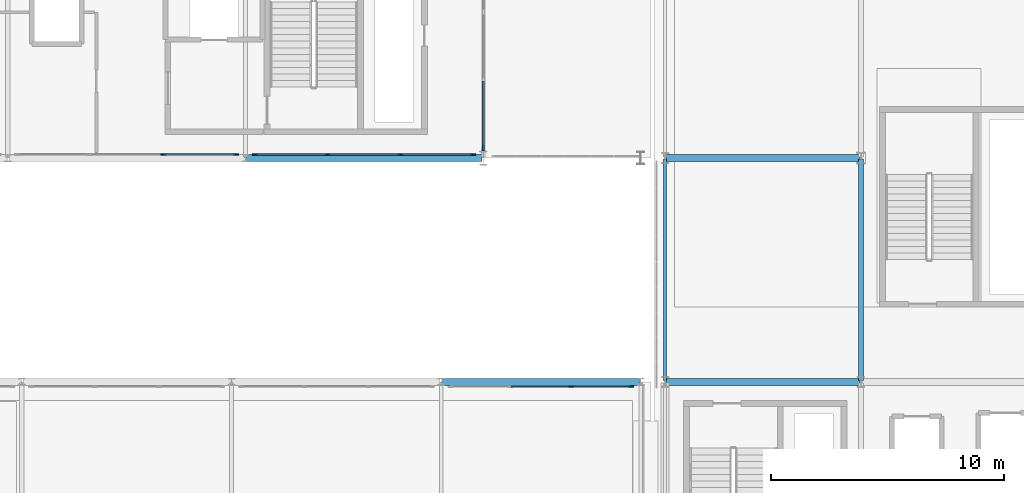
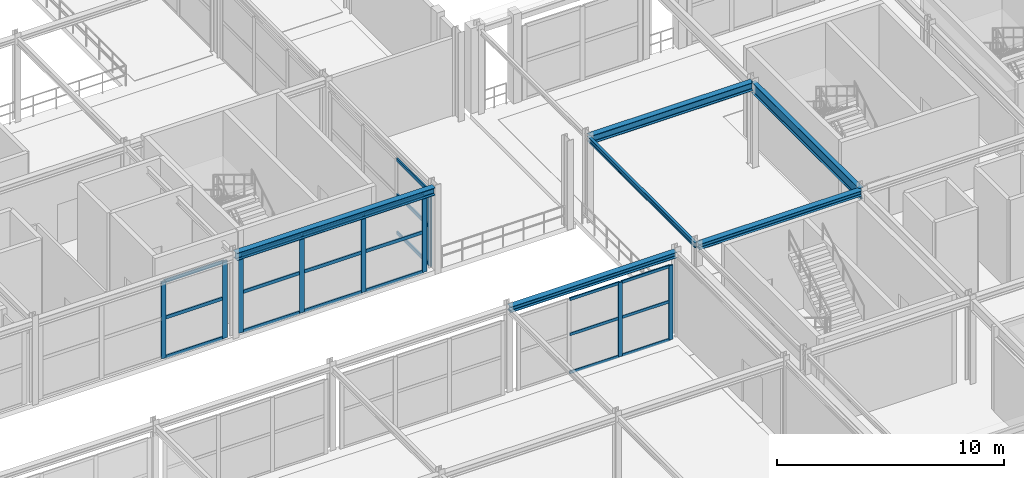
# One storey, part 35 of 125: 30 members, 6 beams, 4 elements without a shape of their own.
"""IFC4 building model written with IfcOpenShell, lengths in metres."""

from ifc_helpers import new_model, si_unit, direction, frame, origin, origin_2d, place, context, subcontext, project, spatial, rectangle, i_section, extrude, material, layer, layer_set, material_profile, profile_set, type_object, element, aggregate, save


model = new_model("IFC4")

# Units and contexts
model_context = context("Model", 3, precision=1e-05, world=origin(), true_north=direction((0.0, 1.0)))
body_context = subcontext(model_context, "Body", "Model", "MODEL_VIEW")
ifc_project = project(units=[si_unit("LENGTHUNIT", "METRE"), si_unit("AREAUNIT", "SQUARE_METRE"), si_unit("VOLUMEUNIT", "CUBIC_METRE"), si_unit("PLANEANGLEUNIT", "RADIAN"), si_unit("MASSUNIT", "GRAM", prefix="KILO")], contexts=[model_context])

# Site, building, storey
site_placement = place(None, origin())
site = spatial("IfcSite", under=ifc_project, at=site_placement, CompositionType="ELEMENT")
building_placement = place(site_placement, origin())
building = spatial("IfcBuilding", under=site, at=building_placement, Name="Myrtia Square Station", CompositionType="ELEMENT")
storey_placement = place(building_placement, frame((0.0, 0.0, 6.0)))
storey = spatial("IfcBuildingStorey", under=building, at=storey_placement, Name="L01", CompositionType="ELEMENT", Elevation=6.0)

# Beams
ifc_material_1 = material(Name="Steel S355", Category="steel")
ifc_material_profile_1 = material_profile(ifc_material_1, i_section(OverallWidth=0.300048828125, OverallDepth=0.43994140625, WebThickness=0.011474609375, FlangeThickness=0.02099609375, FilletRadius=0.027099609375, at=origin_2d()), Name="HEA 450")
ifc_profile_set_1 = profile_set([ifc_material_profile_1], Name="Steel S355")
beam_type_1 = type_object("IfcBeamType", Name="BM-HEA450", PredefinedType="BEAM", material=ifc_profile_set_1)
beam_1_placement = place(storey_placement, frame((117.64990234375, 28.800048828125, 4.330078125), z_axis=(1.0, 0.0, 0.0), x_axis=(0.0, 1.0, 0.0)))
element("IfcBeam", 1, at=beam_1_placement, inside=storey, type_object=beam_type_1, Name="Structural girder BMX-L01-0598", PredefinedType="BEAM", context=body_context, shape_type="SweptSolid", body=[
    extrude(i_section(OverallWidth=0.300048828125, OverallDepth=0.43994140625, WebThickness=0.011474609375, FlangeThickness=0.02099609375, FilletRadius=0.027099609375, at=origin_2d()), origin(), (0.0, 0.0, 1.0), 8.300048828125),
])
ifc_material_profile_2 = material_profile(ifc_material_1, i_section(OverallWidth=0.300048828125, OverallDepth=0.300048828125, WebThickness=0.010986328125, FlangeThickness=0.01904296875, FilletRadius=0.027099609375, at=origin_2d()), Name="HEB 300")
ifc_profile_set_2 = profile_set([ifc_material_profile_2], Name="Steel S355")
beam_type_2 = type_object("IfcBeamType", Name="BM-HEB300", PredefinedType="BEAM", material=ifc_profile_set_2)
beam_2_placement = place(storey_placement, frame((108.050048828125, 19.199951171875, 4.385009765625), z_axis=(1.0, 0.0, 0.0), x_axis=(0.0, 1.0, 0.0)))
element("IfcBeam", 2, at=beam_2_placement, inside=storey, type_object=beam_type_2, Name="Structural girder BMX-L01-0590", PredefinedType="BEAM", context=body_context, shape_type="SweptSolid", body=[
    extrude(i_section(OverallWidth=0.300048828125, OverallDepth=0.300048828125, WebThickness=0.010986328125, FlangeThickness=0.01904296875, FilletRadius=0.027099609375, at=origin_2d()), origin(), (0.0, 0.0, 1.0), 8.449951171875),
])
beam_3_placement = place(storey_placement, frame((117.64990234375, 19.199951171875, 4.39990234375), z_axis=(1.0, 0.0, 0.0), x_axis=(0.0, 1.0, 0.0)))
element("IfcBeam", 3, at=beam_3_placement, inside=storey, type_object=beam_type_2, Name="Structural girder BMX-L01-0591", PredefinedType="BEAM", context=body_context, shape_type="SweptSolid", body=[
    extrude(i_section(OverallWidth=0.300048828125, OverallDepth=0.300048828125, WebThickness=0.010986328125, FlangeThickness=0.01904296875, FilletRadius=0.027099609375, at=origin_2d()), origin(), (0.0, 0.0, 1.0), 8.300048828125),
])
ifc_material_profile_3 = material_profile(ifc_material_1, i_section(OverallWidth=0.300048828125, OverallDepth=0.39990234375, WebThickness=0.013427734375, FlangeThickness=0.02392578125, FilletRadius=0.027099609375, at=origin_2d()), Name="HEB 400")
ifc_profile_set_3 = profile_set([ifc_material_profile_3], Name="Steel S355")
beam_type_3 = type_object("IfcBeamType", Name="BM-HEB400", PredefinedType="BEAM", material=ifc_profile_set_3)
beam_4_placement = place(storey_placement, frame((99.64990234375, 28.800048828125, 4.35009765625), z_axis=(1.0, 0.0, 0.0), x_axis=(0.0, 1.0, 0.0)))
element("IfcBeam", 4, at=beam_4_placement, inside=storey, type_object=beam_type_3, Name="Structural girder BMX-L01-0536", PredefinedType="BEAM", context=body_context, shape_type="SweptSolid", body=[
    extrude(i_section(OverallWidth=0.300048828125, OverallDepth=0.39990234375, WebThickness=0.013427734375, FlangeThickness=0.02392578125, FilletRadius=0.027099609375, at=origin_2d()), origin(), (0.0, 0.0, 1.0), 10.10009765625),
])
ifc_material_profile_4 = material_profile(ifc_material_1, i_section(OverallWidth=0.135009765625, OverallDepth=0.27001953125, WebThickness=0.006591796875, FlangeThickness=0.01025390625, FilletRadius=0.014892578125, at=origin_2d()), Name="IPE 270")
ifc_profile_set_4 = profile_set([ifc_material_profile_4], Name="Steel S355")
beam_type_4 = type_object("IfcBeamType", Name="BM-IPE270", PredefinedType="BEAM", material=ifc_profile_set_4)
beam_5_placement = place(storey_placement, frame((117.60009765625, 19.25, 4.4150390625), z_axis=(0.0, 1.0, 0.0), x_axis=(-1.0, 0.0, 0.0)))
element("IfcBeam", 5, at=beam_5_placement, inside=storey, type_object=beam_type_4, Name="Structural girder BMY-L01-0614", PredefinedType="BEAM", context=body_context, shape_type="SweptSolid", body=[
    extrude(i_section(OverallWidth=0.135009765625, OverallDepth=0.27001953125, WebThickness=0.006591796875, FlangeThickness=0.01025390625, FilletRadius=0.014892578125, at=origin_2d()), origin(), (0.0, 0.0, 1.0), 9.5),
])
ifc_material_profile_5 = material_profile(ifc_material_1, i_section(OverallWidth=0.219970703125, OverallDepth=0.60009765625, WebThickness=0.011962890625, FlangeThickness=0.01904296875, FilletRadius=0.02392578125, at=origin_2d()), Name="IPE 600")
ifc_profile_set_5 = profile_set([ifc_material_profile_5], Name="Steel S355")
beam_type_5 = type_object("IfcBeamType", Name="BM-IPE600", PredefinedType="BEAM", material=ifc_profile_set_5)
beam_6_placement = place(storey_placement, frame((126.0, 19.25, 4.25), z_axis=(0.0, 1.0, 0.0), x_axis=(-1.0, 0.0, 0.0)))
element("IfcBeam", 6, at=beam_6_placement, inside=storey, type_object=beam_type_5, Name="Structural girder BMY-L01-0618", PredefinedType="BEAM", context=body_context, shape_type="SweptSolid", body=[
    extrude(i_section(OverallWidth=0.219970703125, OverallDepth=0.60009765625, WebThickness=0.011962890625, FlangeThickness=0.01904296875, FilletRadius=0.02392578125, at=origin_2d()), origin(), (0.0, 0.0, 1.0), 9.5),
])

# Curtain wall, members
ifc_material_2 = material(Name="Dark bronze anodised aluminium", Category="aluminium")
ifc_layer_1 = layer(ifc_material_2, 0.159912109375, Name="Dark bronze anodised aluminium")
ifc_layer_set_1 = layer_set([ifc_layer_1], Name="Dark bronze anodised aluminium")
curtain_wall_type_1 = type_object("IfcCurtainWallType", Name="CW-TYPE-34-781x400", PredefinedType="USERDEFINED", material=ifc_layer_set_1)
curtain_wall_1_placement = place(storey_placement, origin())
curtain_wall_1 = element("IfcCurtainWall", 7, at=curtain_wall_1_placement, inside=storey, type_object=curtain_wall_type_1, Name="Concourse curtain wall CW-L01-112", ObjectType="CONCOURSE CURTAIN WALL", PredefinedType="USERDEFINED")
ifc_material_profile_6 = material_profile(ifc_material_2, rectangle(XDim=0.06494140625, YDim=0.199951171875, at=origin_2d()), Name="ALU-M 65x200")
ifc_profile_set_6 = profile_set([ifc_material_profile_6], Name="Dark bronze anodised aluminium")
member_type_1 = type_object("IfcMemberType", Name="CWM-65x200", PredefinedType="MULLION", material=ifc_profile_set_6)
member_1_placement = place(storey_placement, frame((113.57666015625, 19.0, 0.0), z_axis=(0.0, 0.0, 1.0), x_axis=(0.0, 1.0, 0.0)))
member_1 = element("IfcMember", 8, at=member_1_placement, type_object=member_type_1, Name="CW-112 mullion 3", PredefinedType="MULLION", context=body_context, shape_type="SweptSolid", body=[
    extrude(rectangle(XDim=0.06494140625, YDim=0.199951171875, at=origin_2d()), origin(), (0.0, 0.0, 1.0), 4.0),
])
member_2_placement = place(storey_placement, frame((116.1474609375, 19.0, 0.0), z_axis=(0.0, 0.0, 1.0), x_axis=(0.0, 1.0, 0.0)))
member_2 = element("IfcMember", 9, at=member_2_placement, type_object=member_type_1, Name="CW-112 mullion 4", PredefinedType="MULLION", context=body_context, shape_type="SweptSolid", body=[
    extrude(rectangle(XDim=0.06494140625, YDim=0.199951171875, at=origin_2d()), origin(), (0.0, 0.0, 1.0), 4.0),
])

# Curtain wall, member
ifc_layer_2 = layer(ifc_material_2, 0.159912109375, Name="Dark bronze anodised aluminium")
ifc_layer_set_2 = layer_set([ifc_layer_2], Name="Dark bronze anodised aluminium")
curtain_wall_type_2 = type_object("IfcCurtainWallType", Name="CW-TYPE-04-880x400", PredefinedType="USERDEFINED", material=ifc_layer_set_2)
curtain_wall_2_placement = place(storey_placement, origin())
curtain_wall_2 = element("IfcCurtainWall", 10, at=curtain_wall_2_placement, inside=storey, type_object=curtain_wall_type_2, Name="Concourse curtain wall CW-L01-006", ObjectType="CONCOURSE CURTAIN WALL", PredefinedType="USERDEFINED")
ifc_material_profile_7 = material_profile(ifc_material_2, rectangle(XDim=0.074951171875, YDim=0.239990234375, at=origin_2d()), Name="ALU-M 75x240")
ifc_profile_set_7 = profile_set([ifc_material_profile_7], Name="Dark bronze anodised aluminium")
member_type_2 = type_object("IfcMemberType", Name="CWM-75x240", PredefinedType="MULLION", material=ifc_profile_set_7)
member_3_placement = place(storey_placement, frame((109.800048828125, 29.237548828125, 0.0), z_axis=(0.0, 0.0, 1.0), x_axis=(-1.0, 0.0, 0.0)))
member_3 = element("IfcMember", 11, at=member_3_placement, type_object=member_type_2, Name="CW-006 mullion 1", PredefinedType="MULLION", context=body_context, shape_type="SweptSolid", body=[
    extrude(rectangle(XDim=0.074951171875, YDim=0.239990234375, at=origin_2d()), origin(), (0.0, 0.0, 1.0), 4.0),
])

# Curtain wall, members
ifc_layer_3 = layer(ifc_material_2, 0.159912109375, Name="Dark bronze anodised aluminium")
ifc_layer_set_3 = layer_set([ifc_layer_3], Name="Dark bronze anodised aluminium")
curtain_wall_type_3 = type_object("IfcCurtainWallType", Name="CW-TYPE-10-946x415", PredefinedType="USERDEFINED", material=ifc_layer_set_3)
curtain_wall_3_placement = place(storey_placement, origin())
curtain_wall_3 = element("IfcCurtainWall", 12, at=curtain_wall_3_placement, inside=storey, type_object=curtain_wall_type_3, Name="Concourse curtain wall CW-L01-043", ObjectType="CONCOURSE CURTAIN WALL", PredefinedType="USERDEFINED")
member_4_placement = place(storey_placement, frame((96.07666015625, 28.949951171875, 0.0), z_axis=(0.0, 0.0, 1.0), x_axis=(0.0, 1.0, 0.0)))
member_4 = element("IfcMember", 13, at=member_4_placement, type_object=member_type_2, Name="CW-043 mullion 3", PredefinedType="MULLION", context=body_context, shape_type="SweptSolid", body=[
    extrude(rectangle(XDim=0.074951171875, YDim=0.239990234375, at=origin_2d()), origin(), (0.0, 0.0, 1.0), 4.14990234375),
])
member_5_placement = place(storey_placement, frame((99.1923828125, 28.949951171875, 0.0), z_axis=(0.0, 0.0, 1.0), x_axis=(0.0, 1.0, 0.0)))
member_5 = element("IfcMember", 14, at=member_5_placement, type_object=member_type_2, Name="CW-043 mullion 4", PredefinedType="MULLION", context=body_context, shape_type="SweptSolid", body=[
    extrude(rectangle(XDim=0.074951171875, YDim=0.239990234375, at=origin_2d()), origin(), (0.0, 0.0, 1.0), 4.14990234375),
])

ifc_layer_4 = layer(ifc_material_2, 0.159912109375, Name="Dark bronze anodised aluminium")
ifc_layer_set_4 = layer_set([ifc_layer_4], Name="Dark bronze anodised aluminium")
curtain_wall_type_4 = type_object("IfcCurtainWallType", Name="CW-TYPE-11-943x415", PredefinedType="USERDEFINED", material=ifc_layer_set_4)
curtain_wall_4_placement = place(storey_placement, origin())
curtain_wall_4 = element("IfcCurtainWall", 15, at=curtain_wall_4_placement, inside=storey, type_object=curtain_wall_type_4, Name="Concourse curtain wall CW-L01-045", ObjectType="CONCOURSE CURTAIN WALL", PredefinedType="USERDEFINED")
member_6_placement = place(storey_placement, frame((100.007568359375, 28.949951171875, 0.0), z_axis=(0.0, 0.0, 1.0), x_axis=(0.0, 1.0, 0.0)))
member_6 = element("IfcMember", 16, at=member_6_placement, type_object=member_type_2, Name="CW-045 mullion 1", PredefinedType="MULLION", context=body_context, shape_type="SweptSolid", body=[
    extrude(rectangle(XDim=0.074951171875, YDim=0.239990234375, at=origin_2d()), origin(), (0.0, 0.0, 1.0), 4.14990234375),
])
member_7_placement = place(storey_placement, frame((103.11328125, 28.949951171875, 0.0), z_axis=(0.0, 0.0, 1.0), x_axis=(0.0, 1.0, 0.0)))
member_7 = element("IfcMember", 17, at=member_7_placement, type_object=member_type_2, Name="CW-045 mullion 2", PredefinedType="MULLION", context=body_context, shape_type="SweptSolid", body=[
    extrude(rectangle(XDim=0.074951171875, YDim=0.239990234375, at=origin_2d()), origin(), (0.0, 0.0, 1.0), 4.14990234375),
])
member_8_placement = place(storey_placement, frame((106.256591796875, 28.949951171875, 0.0), z_axis=(0.0, 0.0, 1.0), x_axis=(0.0, 1.0, 0.0)))
member_8 = element("IfcMember", 18, at=member_8_placement, type_object=member_type_2, Name="CW-045 mullion 3", PredefinedType="MULLION", context=body_context, shape_type="SweptSolid", body=[
    extrude(rectangle(XDim=0.074951171875, YDim=0.239990234375, at=origin_2d()), origin(), (0.0, 0.0, 1.0), 4.14990234375),
])
member_9_placement = place(storey_placement, frame((109.362548828125, 28.949951171875, 0.0), z_axis=(0.0, 0.0, 1.0), x_axis=(0.0, 1.0, 0.0)))
member_9 = element("IfcMember", 19, at=member_9_placement, type_object=member_type_2, Name="CW-045 mullion 4", PredefinedType="MULLION", context=body_context, shape_type="SweptSolid", body=[
    extrude(rectangle(XDim=0.074951171875, YDim=0.239990234375, at=origin_2d()), origin(), (0.0, 0.0, 1.0), 4.14990234375),
])

# Member
ifc_material_profile_8 = material_profile(ifc_material_2, rectangle(XDim=0.06494140625, YDim=0.14990234375, at=origin_2d()), Name="ALU-T 65x150")
ifc_profile_set_8 = profile_set([ifc_material_profile_8], Name="Dark bronze anodised aluminium")
member_type_3 = type_object("IfcMemberType", Name="CWT-65x150", PredefinedType="USERDEFINED", material=ifc_profile_set_8)
member_10_placement = place(storey_placement, frame((111.005859375, 19.0, 0.032470703125), z_axis=(1.0, 0.0, 0.0), x_axis=(0.0, 1.0, 0.0)))
member_10 = element("IfcMember", 20, at=member_10_placement, type_object=member_type_3, Name="CW-112 transom 2.1", ObjectType="TRANSOM", PredefinedType="USERDEFINED", context=body_context, shape_type="SweptSolid", body=[
    extrude(rectangle(XDim=0.06494140625, YDim=0.14990234375, at=origin_2d()), origin(), (0.0, 0.0, 1.0), 2.538330078125),
])

member_11_placement = place(storey_placement, frame((111.005859375, 19.0, 2.080078125), z_axis=(1.0, 0.0, 0.0), x_axis=(0.0, 1.0, 0.0)))
member_11 = element("IfcMember", 21, at=member_11_placement, type_object=member_type_3, Name="CW-112 transom 2.2", ObjectType="TRANSOM", PredefinedType="USERDEFINED", context=body_context, shape_type="SweptSolid", body=[
    extrude(rectangle(XDim=0.06494140625, YDim=0.14990234375, at=origin_2d()), origin(), (0.0, 0.0, 1.0), 2.538330078125),
])

member_12_placement = place(storey_placement, frame((111.005859375, 19.0, 3.967529296875), z_axis=(1.0, 0.0, 0.0), x_axis=(0.0, 1.0, 0.0)))
member_12 = element("IfcMember", 22, at=member_12_placement, type_object=member_type_3, Name="CW-112 transom 2.3", ObjectType="TRANSOM", PredefinedType="USERDEFINED", context=body_context, shape_type="SweptSolid", body=[
    extrude(rectangle(XDim=0.06494140625, YDim=0.14990234375, at=origin_2d()), origin(), (0.0, 0.0, 1.0), 2.538330078125),
])

member_13_placement = place(storey_placement, frame((113.609130859375, 19.0, 0.032470703125), z_axis=(1.0, 0.0, 0.0), x_axis=(0.0, 1.0, 0.0)))
member_13 = element("IfcMember", 23, at=member_13_placement, type_object=member_type_3, Name="CW-112 transom 3.1", ObjectType="TRANSOM", PredefinedType="USERDEFINED", context=body_context, shape_type="SweptSolid", body=[
    extrude(rectangle(XDim=0.06494140625, YDim=0.14990234375, at=origin_2d()), origin(), (0.0, 0.0, 1.0), 2.505859375),
])

member_14_placement = place(storey_placement, frame((113.609130859375, 19.0, 2.080078125), z_axis=(1.0, 0.0, 0.0), x_axis=(0.0, 1.0, 0.0)))
member_14 = element("IfcMember", 24, at=member_14_placement, type_object=member_type_3, Name="CW-112 transom 3.2", ObjectType="TRANSOM", PredefinedType="USERDEFINED", context=body_context, shape_type="SweptSolid", body=[
    extrude(rectangle(XDim=0.06494140625, YDim=0.14990234375, at=origin_2d()), origin(), (0.0, 0.0, 1.0), 2.505859375),
])

member_15_placement = place(storey_placement, frame((113.609130859375, 19.0, 3.967529296875), z_axis=(1.0, 0.0, 0.0), x_axis=(0.0, 1.0, 0.0)))
member_15 = element("IfcMember", 25, at=member_15_placement, type_object=member_type_3, Name="CW-112 transom 3.3", ObjectType="TRANSOM", PredefinedType="USERDEFINED", context=body_context, shape_type="SweptSolid", body=[
    extrude(rectangle(XDim=0.06494140625, YDim=0.14990234375, at=origin_2d()), origin(), (0.0, 0.0, 1.0), 2.505859375),
])

aggregate(curtain_wall_1, [member_1, member_2, member_10, member_11, member_12, member_13, member_14, member_15])

ifc_material_profile_9 = material_profile(ifc_material_2, rectangle(XDim=0.074951171875, YDim=0.179931640625, at=origin_2d()), Name="ALU-T 75x180")
ifc_profile_set_9 = profile_set([ifc_material_profile_9], Name="Dark bronze anodised aluminium")
member_type_4 = type_object("IfcMemberType", Name="CWT-75x180", PredefinedType="USERDEFINED", material=ifc_profile_set_9)
member_16_placement = place(storey_placement, frame((109.800048828125, 29.27490234375, 0.03759765625), z_axis=(0.0, 1.0, 0.0), x_axis=(-1.0, 0.0, 0.0)))
member_16 = element("IfcMember", 26, at=member_16_placement, type_object=member_type_4, Name="CW-006 transom 1.1", ObjectType="TRANSOM", PredefinedType="USERDEFINED", context=body_context, shape_type="SweptSolid", body=[
    extrude(rectangle(XDim=0.074951171875, YDim=0.179931640625, at=origin_2d()), origin(), (0.0, 0.0, 1.0), 2.821044921875),
])

member_17_placement = place(storey_placement, frame((109.800048828125, 29.27490234375, 2.080078125), z_axis=(0.0, 1.0, 0.0), x_axis=(-1.0, 0.0, 0.0)))
member_17 = element("IfcMember", 27, at=member_17_placement, type_object=member_type_4, Name="CW-006 transom 1.2", ObjectType="TRANSOM", PredefinedType="USERDEFINED", context=body_context, shape_type="SweptSolid", body=[
    extrude(rectangle(XDim=0.074951171875, YDim=0.179931640625, at=origin_2d()), origin(), (0.0, 0.0, 1.0), 2.821044921875),
])

member_18_placement = place(storey_placement, frame((109.800048828125, 29.27490234375, 3.96240234375), z_axis=(0.0, 1.0, 0.0), x_axis=(-1.0, 0.0, 0.0)))
member_18 = element("IfcMember", 28, at=member_18_placement, type_object=member_type_4, Name="CW-006 transom 1.3", ObjectType="TRANSOM", PredefinedType="USERDEFINED", context=body_context, shape_type="SweptSolid", body=[
    extrude(rectangle(XDim=0.074951171875, YDim=0.179931640625, at=origin_2d()), origin(), (0.0, 0.0, 1.0), 2.821044921875),
])

aggregate(curtain_wall_2, [member_3, member_16, member_17, member_18])

member_19_placement = place(storey_placement, frame((96.1142578125, 28.949951171875, 0.03759765625), z_axis=(1.0, 0.0, 0.0), x_axis=(0.0, 1.0, 0.0)))
member_19 = element("IfcMember", 29, at=member_19_placement, type_object=member_type_4, Name="CW-043 transom 3.1", ObjectType="TRANSOM", PredefinedType="USERDEFINED", context=body_context, shape_type="SweptSolid", body=[
    extrude(rectangle(XDim=0.074951171875, YDim=0.179931640625, at=origin_2d()), origin(), (0.0, 0.0, 1.0), 3.040771484375),
])

member_20_placement = place(storey_placement, frame((96.1142578125, 28.949951171875, 2.157958984375), z_axis=(1.0, 0.0, 0.0), x_axis=(0.0, 1.0, 0.0)))
member_20 = element("IfcMember", 30, at=member_20_placement, type_object=member_type_4, Name="CW-043 transom 3.2", ObjectType="TRANSOM", PredefinedType="USERDEFINED", context=body_context, shape_type="SweptSolid", body=[
    extrude(rectangle(XDim=0.074951171875, YDim=0.179931640625, at=origin_2d()), origin(), (0.0, 0.0, 1.0), 3.040771484375),
])

member_21_placement = place(storey_placement, frame((96.1142578125, 28.949951171875, 4.112548828125), z_axis=(1.0, 0.0, 0.0), x_axis=(0.0, 1.0, 0.0)))
member_21 = element("IfcMember", 31, at=member_21_placement, type_object=member_type_4, Name="CW-043 transom 3.3", ObjectType="TRANSOM", PredefinedType="USERDEFINED", context=body_context, shape_type="SweptSolid", body=[
    extrude(rectangle(XDim=0.074951171875, YDim=0.179931640625, at=origin_2d()), origin(), (0.0, 0.0, 1.0), 3.040771484375),
])

aggregate(curtain_wall_3, [member_4, member_5, member_19, member_20, member_21])

member_22_placement = place(storey_placement, frame((100.044921875, 28.949951171875, 0.03759765625), z_axis=(1.0, 0.0, 0.0), x_axis=(0.0, 1.0, 0.0)))
member_22 = element("IfcMember", 32, at=member_22_placement, type_object=member_type_4, Name="CW-045 transom 1.1", ObjectType="TRANSOM", PredefinedType="USERDEFINED", context=body_context, shape_type="SweptSolid", body=[
    extrude(rectangle(XDim=0.074951171875, YDim=0.179931640625, at=origin_2d()), origin(), (0.0, 0.0, 1.0), 3.031005859375),
])

member_23_placement = place(storey_placement, frame((100.044921875, 28.949951171875, 2.157958984375), z_axis=(1.0, 0.0, 0.0), x_axis=(0.0, 1.0, 0.0)))
member_23 = element("IfcMember", 33, at=member_23_placement, type_object=member_type_4, Name="CW-045 transom 1.2", ObjectType="TRANSOM", PredefinedType="USERDEFINED", context=body_context, shape_type="SweptSolid", body=[
    extrude(rectangle(XDim=0.074951171875, YDim=0.179931640625, at=origin_2d()), origin(), (0.0, 0.0, 1.0), 3.031005859375),
])

member_24_placement = place(storey_placement, frame((100.044921875, 28.949951171875, 4.112548828125), z_axis=(1.0, 0.0, 0.0), x_axis=(0.0, 1.0, 0.0)))
member_24 = element("IfcMember", 34, at=member_24_placement, type_object=member_type_4, Name="CW-045 transom 1.3", ObjectType="TRANSOM", PredefinedType="USERDEFINED", context=body_context, shape_type="SweptSolid", body=[
    extrude(rectangle(XDim=0.074951171875, YDim=0.179931640625, at=origin_2d()), origin(), (0.0, 0.0, 1.0), 3.031005859375),
])

member_25_placement = place(storey_placement, frame((103.15087890625, 28.949951171875, 0.03759765625), z_axis=(1.0, 0.0, 0.0), x_axis=(0.0, 1.0, 0.0)))
member_25 = element("IfcMember", 35, at=member_25_placement, type_object=member_type_4, Name="CW-045 transom 2.1", ObjectType="TRANSOM", PredefinedType="USERDEFINED", context=body_context, shape_type="SweptSolid", body=[
    extrude(rectangle(XDim=0.074951171875, YDim=0.179931640625, at=origin_2d()), origin(), (0.0, 0.0, 1.0), 3.068359375),
])

member_26_placement = place(storey_placement, frame((103.15087890625, 28.949951171875, 2.157958984375), z_axis=(1.0, 0.0, 0.0), x_axis=(0.0, 1.0, 0.0)))
member_26 = element("IfcMember", 36, at=member_26_placement, type_object=member_type_4, Name="CW-045 transom 2.2", ObjectType="TRANSOM", PredefinedType="USERDEFINED", context=body_context, shape_type="SweptSolid", body=[
    extrude(rectangle(XDim=0.074951171875, YDim=0.179931640625, at=origin_2d()), origin(), (0.0, 0.0, 1.0), 3.068359375),
])

member_27_placement = place(storey_placement, frame((103.15087890625, 28.949951171875, 4.112548828125), z_axis=(1.0, 0.0, 0.0), x_axis=(0.0, 1.0, 0.0)))
member_27 = element("IfcMember", 37, at=member_27_placement, type_object=member_type_4, Name="CW-045 transom 2.3", ObjectType="TRANSOM", PredefinedType="USERDEFINED", context=body_context, shape_type="SweptSolid", body=[
    extrude(rectangle(XDim=0.074951171875, YDim=0.179931640625, at=origin_2d()), origin(), (0.0, 0.0, 1.0), 3.068359375),
])

member_28_placement = place(storey_placement, frame((106.294189453125, 28.949951171875, 0.03759765625), z_axis=(1.0, 0.0, 0.0), x_axis=(0.0, 1.0, 0.0)))
member_28 = element("IfcMember", 38, at=member_28_placement, type_object=member_type_4, Name="CW-045 transom 3.1", ObjectType="TRANSOM", PredefinedType="USERDEFINED", context=body_context, shape_type="SweptSolid", body=[
    extrude(rectangle(XDim=0.074951171875, YDim=0.179931640625, at=origin_2d()), origin(), (0.0, 0.0, 1.0), 3.03076171875),
])

member_29_placement = place(storey_placement, frame((106.294189453125, 28.949951171875, 2.157958984375), z_axis=(1.0, 0.0, 0.0), x_axis=(0.0, 1.0, 0.0)))
member_29 = element("IfcMember", 39, at=member_29_placement, type_object=member_type_4, Name="CW-045 transom 3.2", ObjectType="TRANSOM", PredefinedType="USERDEFINED", context=body_context, shape_type="SweptSolid", body=[
    extrude(rectangle(XDim=0.074951171875, YDim=0.179931640625, at=origin_2d()), origin(), (0.0, 0.0, 1.0), 3.03076171875),
])

member_30_placement = place(storey_placement, frame((106.294189453125, 28.949951171875, 4.112548828125), z_axis=(1.0, 0.0, 0.0), x_axis=(0.0, 1.0, 0.0)))
member_30 = element("IfcMember", 40, at=member_30_placement, type_object=member_type_4, Name="CW-045 transom 3.3", ObjectType="TRANSOM", PredefinedType="USERDEFINED", context=body_context, shape_type="SweptSolid", body=[
    extrude(rectangle(XDim=0.074951171875, YDim=0.179931640625, at=origin_2d()), origin(), (0.0, 0.0, 1.0), 3.03076171875),
])

aggregate(curtain_wall_4, [member_6, member_7, member_8, member_9, member_22, member_23, member_24, member_25, member_26, member_27, member_28, member_29, member_30])

save(model, "model.ifc")
